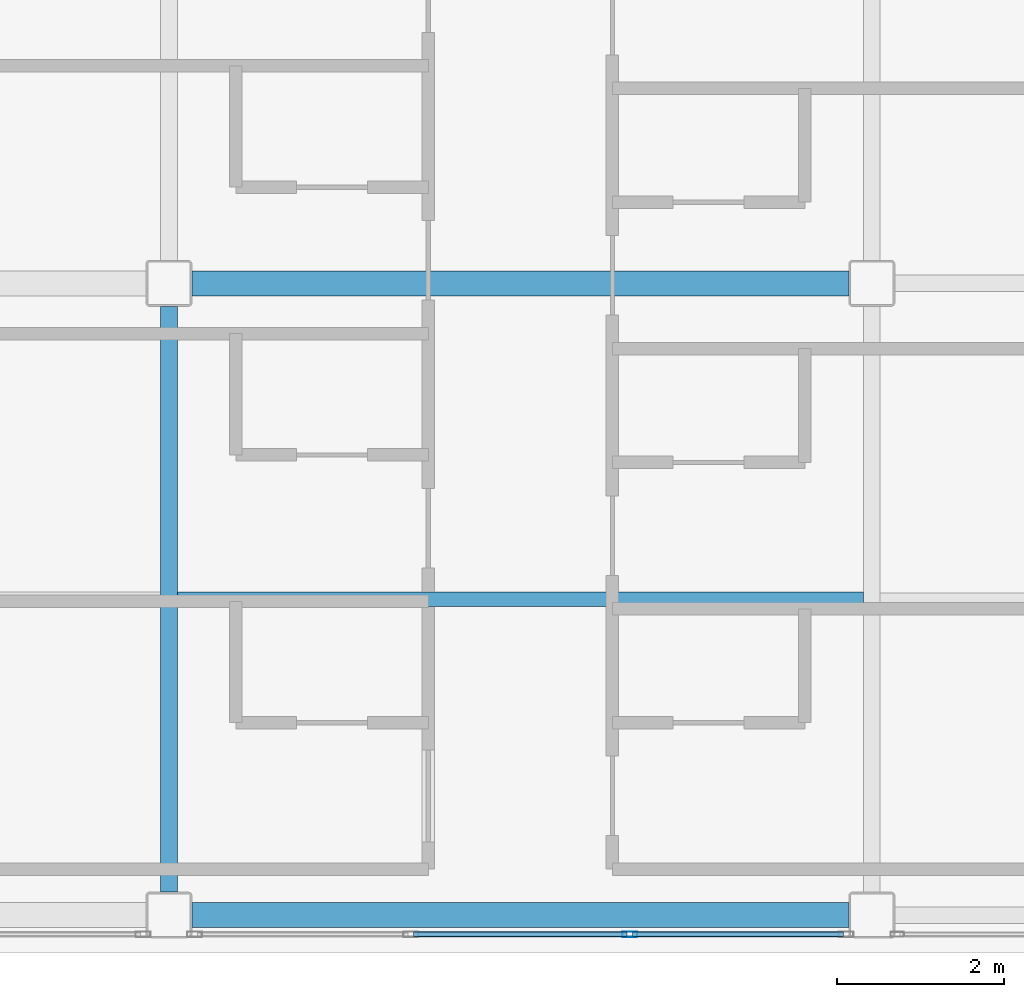
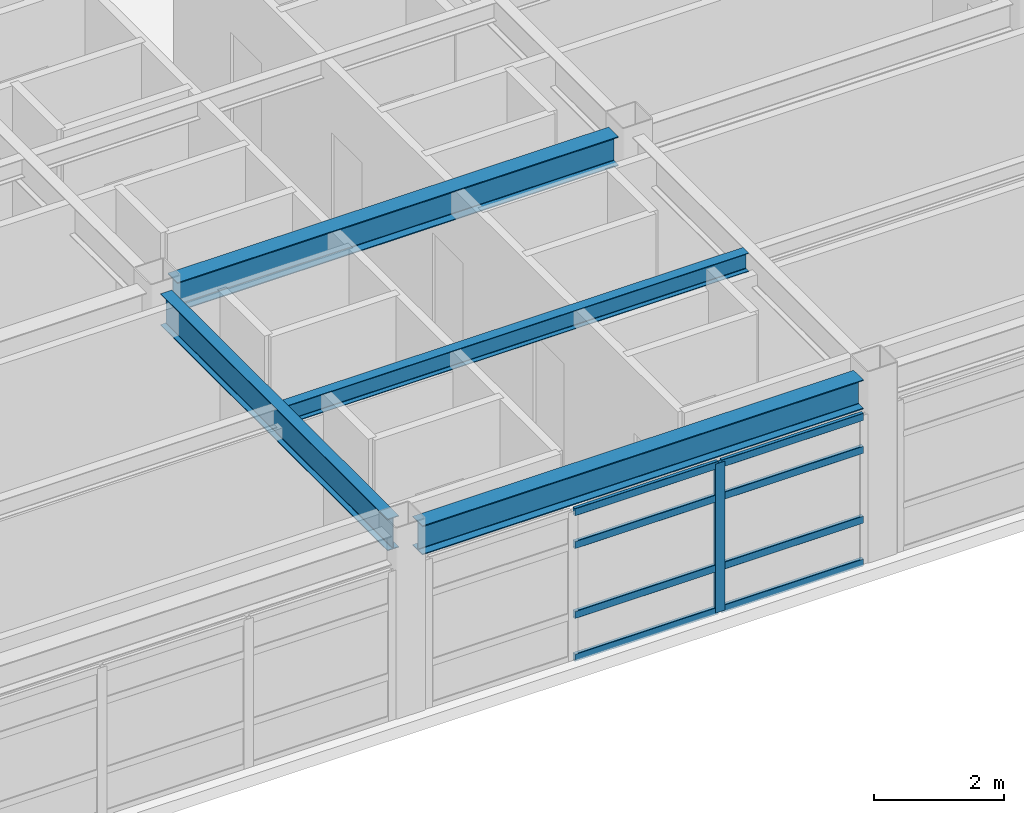
# One storey, part 4 of 38: 9 members, 4 beams, 1 element without a shape of its own.
"""IFC4 building model written with IfcOpenShell, lengths in metres."""

from ifc_helpers import new_model, si_unit, direction, frame, origin, origin_2d, place, context, subcontext, project, spatial, hollow_rectangle, i_section, extrude, material, layer, layer_set, material_profile, profile_set, type_object, element, aggregate, save


model = new_model("IFC4")

# Units and contexts
model_context = context("Model", 3, precision=1e-05, world=origin(), true_north=direction((0.0, 1.0)))
body_context = subcontext(model_context, "Body", "Model", "MODEL_VIEW")
ifc_project = project(units=[si_unit("LENGTHUNIT", "METRE"), si_unit("AREAUNIT", "SQUARE_METRE"), si_unit("VOLUMEUNIT", "CUBIC_METRE"), si_unit("PLANEANGLEUNIT", "RADIAN"), si_unit("MASSUNIT", "GRAM", prefix="KILO")], contexts=[model_context])

# Site, building, storey
site_placement = place(None, origin())
site = spatial("IfcSite", under=ifc_project, at=site_placement, CompositionType="ELEMENT")
building_placement = place(site_placement, origin())
building = spatial("IfcBuilding", under=site, at=building_placement, Name="Kazehara Bluff Congress Hotel", CompositionType="ELEMENT")
storey_placement = place(building_placement, frame((0.0, 0.0, 24.60009765625)))
storey = spatial("IfcBuildingStorey", under=building, at=storey_placement, Name="L05", CompositionType="ELEMENT", Elevation=24.60009765625)

# Curtain wall, members
ifc_material_1 = material(Name="Anodised aluminium", Category="aluminium")
ifc_layer = layer(ifc_material_1, 0.159912109375)
ifc_layer_set = layer_set([ifc_layer], Name="Anodised aluminium")
curtain_wall_type = type_object("IfcCurtainWallType", Name="TP-CW-172", PredefinedType="NOTDEFINED", material=ifc_layer_set)
curtain_wall_placement = place(storey_placement, origin())
curtain_wall = element("IfcCurtainWall", 1, at=curtain_wall_placement, inside=storey, type_object=curtain_wall_type, Name="L05 curtain wall CW-172 CW-ENC-V5-L05-15630-22", PredefinedType="NOTDEFINED")
ifc_material_2 = material(Name="Anodised aluminium", Category="aluminium")
ifc_material_profile_1 = material_profile(ifc_material_2, hollow_rectangle(XDim=0.06494140625, YDim=0.179931640625, WallThickness=0.00390625, InnerFilletRadius=0.00390625, OuterFilletRadius=0.008056640625, at=origin_2d()))
ifc_profile_set_1 = profile_set([ifc_material_profile_1], Name="Anodised aluminium")
member_type_1 = type_object("IfcMemberType", Name="TP-CWM-02", PredefinedType="MULLION", material=ifc_profile_set_1)
member_1_placement = place(storey_placement, frame((157.6083984375, 0.219970703125, 0.0), z_axis=(0.0, 0.0, 1.0), x_axis=(0.0, -1.0, 0.0)))
member_1 = element("IfcMember", 2, at=member_1_placement, type_object=member_type_1, Name="CW-172 mullion 2", PredefinedType="MULLION", context=body_context, shape_type="SweptSolid", body=[
    extrude(hollow_rectangle(XDim=0.06494140625, YDim=0.179931640625, WallThickness=0.00390625, InnerFilletRadius=0.00390625, OuterFilletRadius=0.008056640625, at=origin_2d()), origin(), (0.0, 0.0, 1.0), 2.804931640625),
])
ifc_material_3 = material(Name="Anodised aluminium", Category="aluminium")
ifc_material_profile_2 = material_profile(ifc_material_3, hollow_rectangle(XDim=0.06494140625, YDim=0.139892578125, WallThickness=0.00390625, InnerFilletRadius=0.00390625, OuterFilletRadius=0.008056640625, at=origin_2d()))
ifc_profile_set_2 = profile_set([ifc_material_profile_2], Name="Anodised aluminium")
member_type_2 = type_object("IfcMemberType", Name="TP-CWT-02", PredefinedType="USERDEFINED", material=ifc_profile_set_2)
member_2_placement = place(storey_placement, frame((160.159912109375, 0.219970703125, 0.032470703125), z_axis=(-1.0, 0.0, 0.0), x_axis=(0.0, -1.0, 0.0)))
member_2 = element("IfcMember", 3, at=member_2_placement, type_object=member_type_2, Name="CW-172 transom 1.1", ObjectType="TRANSOM", PredefinedType="USERDEFINED", context=body_context, shape_type="SweptSolid", body=[
    extrude(hollow_rectangle(XDim=0.06494140625, YDim=0.139892578125, WallThickness=0.00390625, InnerFilletRadius=0.00390625, OuterFilletRadius=0.008056640625, at=origin_2d()), origin(), (0.0, 0.0, 1.0), 2.51904296875),
])
member_3_placement = place(storey_placement, frame((160.159912109375, 0.219970703125, 0.83984375), z_axis=(-1.0, 0.0, 0.0), x_axis=(0.0, -1.0, 0.0)))
member_3 = element("IfcMember", 4, at=member_3_placement, type_object=member_type_2, Name="CW-172 transom 1.2", ObjectType="TRANSOM", PredefinedType="USERDEFINED", context=body_context, shape_type="SweptSolid", body=[
    extrude(hollow_rectangle(XDim=0.06494140625, YDim=0.139892578125, WallThickness=0.00390625, InnerFilletRadius=0.00390625, OuterFilletRadius=0.008056640625, at=origin_2d()), origin(), (0.0, 0.0, 1.0), 2.51904296875),
])
member_4_placement = place(storey_placement, frame((160.159912109375, 0.219970703125, 2.15478515625), z_axis=(-1.0, 0.0, 0.0), x_axis=(0.0, -1.0, 0.0)))
member_4 = element("IfcMember", 5, at=member_4_placement, type_object=member_type_2, Name="CW-172 transom 1.3", ObjectType="TRANSOM", PredefinedType="USERDEFINED", context=body_context, shape_type="SweptSolid", body=[
    extrude(hollow_rectangle(XDim=0.06494140625, YDim=0.139892578125, WallThickness=0.00390625, InnerFilletRadius=0.00390625, OuterFilletRadius=0.008056640625, at=origin_2d()), origin(), (0.0, 0.0, 1.0), 2.51904296875),
])
member_5_placement = place(storey_placement, frame((160.159912109375, 0.219970703125, 2.7724609375), z_axis=(-1.0, 0.0, 0.0), x_axis=(0.0, -1.0, 0.0)))
member_5 = element("IfcMember", 6, at=member_5_placement, type_object=member_type_2, Name="CW-172 transom 1.4", ObjectType="TRANSOM", PredefinedType="USERDEFINED", context=body_context, shape_type="SweptSolid", body=[
    extrude(hollow_rectangle(XDim=0.06494140625, YDim=0.139892578125, WallThickness=0.00390625, InnerFilletRadius=0.00390625, OuterFilletRadius=0.008056640625, at=origin_2d()), origin(), (0.0, 0.0, 1.0), 2.51904296875),
])
member_6_placement = place(storey_placement, frame((157.575927734375, 0.219970703125, 0.032470703125), z_axis=(-1.0, 0.0, 0.0), x_axis=(0.0, -1.0, 0.0)))
member_6 = element("IfcMember", 7, at=member_6_placement, type_object=member_type_2, Name="CW-172 transom 2.1", ObjectType="TRANSOM", PredefinedType="USERDEFINED", context=body_context, shape_type="SweptSolid", body=[
    extrude(hollow_rectangle(XDim=0.06494140625, YDim=0.139892578125, WallThickness=0.00390625, InnerFilletRadius=0.00390625, OuterFilletRadius=0.008056640625, at=origin_2d()), origin(), (0.0, 0.0, 1.0), 2.5517578125),
])
member_7_placement = place(storey_placement, frame((157.575927734375, 0.219970703125, 0.83984375), z_axis=(-1.0, 0.0, 0.0), x_axis=(0.0, -1.0, 0.0)))
member_7 = element("IfcMember", 8, at=member_7_placement, type_object=member_type_2, Name="CW-172 transom 2.2", ObjectType="TRANSOM", PredefinedType="USERDEFINED", context=body_context, shape_type="SweptSolid", body=[
    extrude(hollow_rectangle(XDim=0.06494140625, YDim=0.139892578125, WallThickness=0.00390625, InnerFilletRadius=0.00390625, OuterFilletRadius=0.008056640625, at=origin_2d()), origin(), (0.0, 0.0, 1.0), 2.5517578125),
])
member_8_placement = place(storey_placement, frame((157.575927734375, 0.219970703125, 2.15478515625), z_axis=(-1.0, 0.0, 0.0), x_axis=(0.0, -1.0, 0.0)))
member_8 = element("IfcMember", 9, at=member_8_placement, type_object=member_type_2, Name="CW-172 transom 2.3", ObjectType="TRANSOM", PredefinedType="USERDEFINED", context=body_context, shape_type="SweptSolid", body=[
    extrude(hollow_rectangle(XDim=0.06494140625, YDim=0.139892578125, WallThickness=0.00390625, InnerFilletRadius=0.00390625, OuterFilletRadius=0.008056640625, at=origin_2d()), origin(), (0.0, 0.0, 1.0), 2.5517578125),
])
member_9_placement = place(storey_placement, frame((157.575927734375, 0.219970703125, 2.7724609375), z_axis=(-1.0, 0.0, 0.0), x_axis=(0.0, -1.0, 0.0)))
member_9 = element("IfcMember", 10, at=member_9_placement, type_object=member_type_2, Name="CW-172 transom 2.4", ObjectType="TRANSOM", PredefinedType="USERDEFINED", context=body_context, shape_type="SweptSolid", body=[
    extrude(hollow_rectangle(XDim=0.06494140625, YDim=0.139892578125, WallThickness=0.00390625, InnerFilletRadius=0.00390625, OuterFilletRadius=0.008056640625, at=origin_2d()), origin(), (0.0, 0.0, 1.0), 2.5517578125),
])
aggregate(curtain_wall, [member_1, member_2, member_3, member_4, member_5, member_6, member_7, member_8, member_9])

# Beams
ifc_material_4 = material(Name="Steel SN490B", Category="steel")
ifc_material_profile_3 = material_profile(ifc_material_4, i_section(OverallWidth=0.199951171875, OverallDepth=0.60009765625, WebThickness=0.010986328125, FlangeThickness=0.01708984375, FilletRadius=0.012939453125, at=origin_2d()))
ifc_profile_set_3 = profile_set([ifc_material_profile_3], Name="Steel SN490B")
beam_type_1 = type_object("IfcBeamType", Name="TP-G-02", PredefinedType="BEAM", material=ifc_profile_set_3)
beam_1_placement = place(storey_placement, frame((152.10009765625, 0.72509765625, 3.079833984375), z_axis=(0.0, 1.0, 0.0), x_axis=(-1.0, 0.0, 0.0)))
element("IfcBeam", 11, at=beam_1_placement, inside=storey, type_object=beam_type_1, Name="L05 girder G-02 13", PredefinedType="BEAM", context=body_context, shape_type="SweptSolid", body=[
    extrude(i_section(OverallWidth=0.199951171875, OverallDepth=0.60009765625, WebThickness=0.010986328125, FlangeThickness=0.01708984375, FilletRadius=0.012939453125, at=origin_2d()), origin(), (0.0, 0.0, 1.0), 7.0),
])
ifc_material_5 = material(Name="Steel SN490B", Category="steel")
ifc_material_profile_4 = material_profile(ifc_material_5, i_section(OverallWidth=0.300048828125, OverallDepth=0.550048828125, WebThickness=0.010986328125, FlangeThickness=0.01806640625, FilletRadius=0.012939453125, at=origin_2d()))
ifc_profile_set_4 = profile_set([ifc_material_profile_4], Name="Steel SN490B")
beam_type_2 = type_object("IfcBeamType", Name="TP-G-12", PredefinedType="BEAM", material=ifc_profile_set_4)
for number, where, z_axis, x_axis, name in (
    (12, (152.375, 0.449951171875, 3.10498046875), (1.0, 0.0, 0.0), (0.0, 1.0, 0.0), "L05 girder G-12 45"),
    (13, (152.375, 8.0, 3.10498046875), (1.0, 0.0, 0.0), (0.0, 1.0, 0.0), "L05 girder G-12 48"),
):
    element("IfcBeam", number, at=place(storey_placement, frame(where, z_axis=z_axis, x_axis=x_axis)), inside=storey, type_object=beam_type_2, Name=name, PredefinedType="BEAM", context=body_context, shape_type="SweptSolid", body=[
        extrude(i_section(OverallWidth=0.300048828125, OverallDepth=0.550048828125, WebThickness=0.010986328125, FlangeThickness=0.01806640625, FilletRadius=0.012939453125, at=origin_2d()), origin(), (0.0, 0.0, 1.0), 7.85009765625),
    ])
ifc_material_6 = material(Name="Steel SN400B", Category="steel")
ifc_material_profile_5 = material_profile(ifc_material_6, i_section(OverallWidth=0.175048828125, OverallDepth=0.35009765625, WebThickness=0.007080078125, FlangeThickness=0.010986328125, FilletRadius=0.012939453125, at=origin_2d()))
ifc_profile_set_5 = profile_set([ifc_material_profile_5], Name="Steel SN400B")
beam_type_3 = type_object("IfcBeamType", Name="TP-J-02", PredefinedType="JOIST", material=ifc_profile_set_5)
beam_2_placement = place(storey_placement, frame((152.199951171875, 4.22509765625, 3.204833984375), z_axis=(1.0, 0.0, 0.0), x_axis=(0.0, 1.0, 0.0)))
element("IfcBeam", 14, at=beam_2_placement, inside=storey, type_object=beam_type_3, Name="L05 secondary joist J-02 10", PredefinedType="JOIST", context=body_context, shape_type="SweptSolid", body=[
    extrude(i_section(OverallWidth=0.175048828125, OverallDepth=0.35009765625, WebThickness=0.007080078125, FlangeThickness=0.010986328125, FilletRadius=0.012939453125, at=origin_2d()), origin(), (0.0, 0.0, 1.0), 8.199951171875),
])

save(model, "model.ifc")
